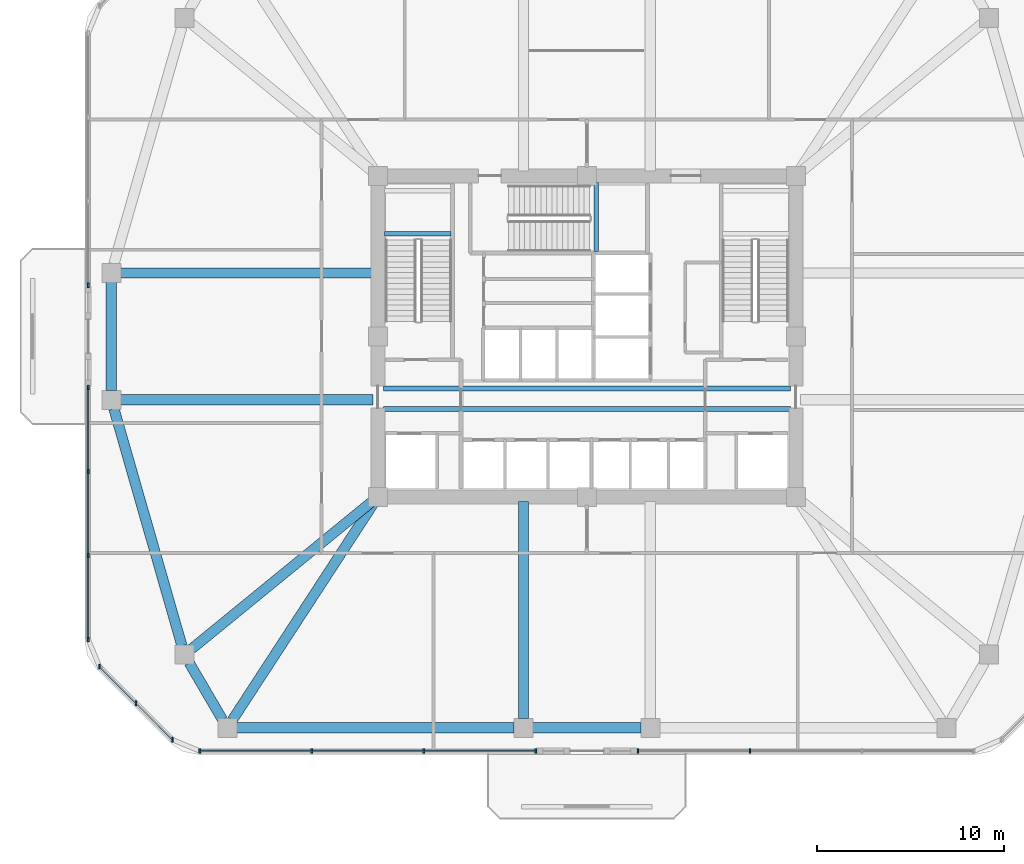
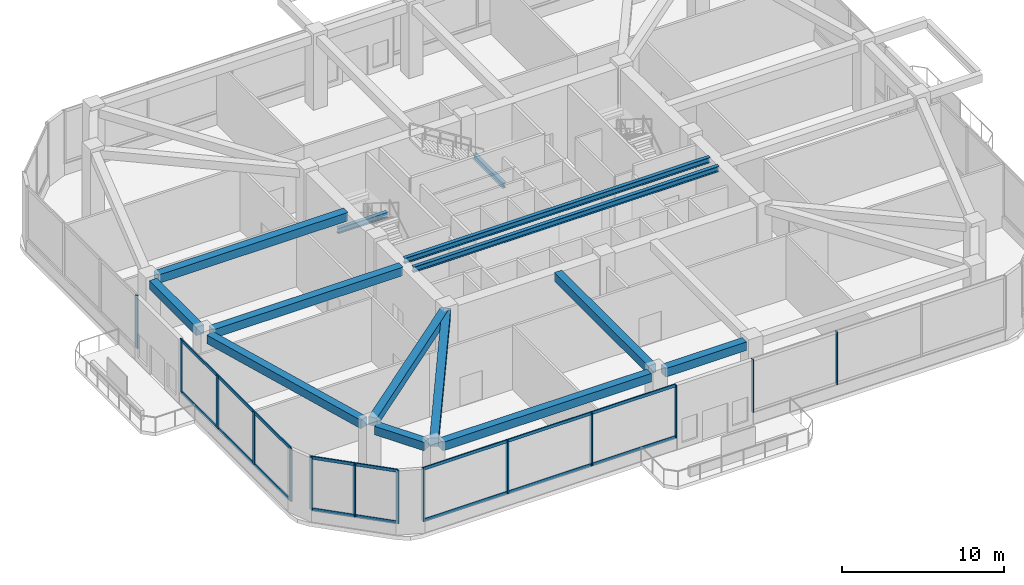
# One storey, part 2 of 13: 20 members, 14 beams, 5 elements without a shape of their own.
"""IFC4 building model written with IfcOpenShell, lengths in metres."""

from ifc_helpers import new_model, si_unit, derived_unit, direction, frame, origin, origin_2d, place, context, subcontext, project, spatial, rectangle, i_section, extrude, material, material_profile, profile_set, type_object, element, aggregate, save


model = new_model("IFC4")

# Units and contexts
model_context = context("Model", 3, precision=1e-05, world=origin(), true_north=direction((0.0, 1.0)))
body_context = subcontext(model_context, "Body", "Model", "MODEL_VIEW")
ifc_project = project(units=[si_unit("LENGTHUNIT", "METRE"), si_unit("AREAUNIT", "SQUARE_METRE"), si_unit("VOLUMEUNIT", "CUBIC_METRE"), si_unit("PLANEANGLEUNIT", "RADIAN"), si_unit("MASSUNIT", "GRAM", prefix="KILO"), derived_unit("THERMALTRANSMITTANCEUNIT", [(si_unit("POWERUNIT", "WATT"), 1), (si_unit("LENGTHUNIT", "METRE"), -2), (si_unit("THERMODYNAMICTEMPERATUREUNIT", "KELVIN"), -1)])], contexts=[model_context])

# Site, building, storey
site_placement = place(None, origin())
site = spatial("IfcSite", under=ifc_project, at=site_placement, CompositionType="ELEMENT")
building_placement = place(site_placement, origin())
building = spatial("IfcBuilding", under=site, at=building_placement, Name="Koralith Skygarden Medical Center", CompositionType="ELEMENT")
storey_placement = place(building_placement, frame((0.0, 0.0, 75.419921875)))
storey = spatial("IfcBuildingStorey", under=building, at=storey_placement, Name="L19", CompositionType="ELEMENT", Elevation=75.419921875)

# Curtain wall, members
ifc_material_1 = material(Name="Clear Laminated Glass", Category="glass")
curtain_wall_type = type_object("IfcCurtainWallType", Name="CW-7 Sky-Garden & Pool Conservatory Wall", PredefinedType="NOTDEFINED", material=ifc_material_1)
curtain_wall_1_placement = place(storey_placement, origin())
curtain_wall_1 = element("IfcCurtainWall", 1, at=curtain_wall_1_placement, inside=storey, type_object=curtain_wall_type, Name="Curtain Wall CW-L19-S-L", PredefinedType="NOTDEFINED")
ifc_material_2 = material(Name="Aluminium 6063-T6", Category="aluminium")
ifc_material_profile_1 = material_profile(ifc_material_2, rectangle(XDim=0.0859375, YDim=0.25, at=origin_2d()), Name="MUL86X250")
ifc_profile_set_1 = profile_set([ifc_material_profile_1], Name="Aluminium 6063-T6")
member_type_1 = type_object("IfcMemberType", Name="CW-7 Extruded Mullion 86x250", PredefinedType="MULLION", material=ifc_profile_set_1)
member_1_placement = place(storey_placement, frame((16.2548828125, 3.679931640625, 0.85009765625), z_axis=(0.0, 0.0, 1.0), x_axis=(1.0, 0.0, 0.0)))
member_1 = element("IfcMember", 2, at=member_1_placement, type_object=member_type_1, Name="CW-L19-S-L Mullion 1", PredefinedType="MULLION", context=body_context, shape_type="SweptSolid", body=[
    extrude(rectangle(XDim=0.0859375, YDim=0.25, at=origin_2d()), origin(), (0.0, 0.0, 1.0), 3.97998046875),
])
member_2_placement = place(storey_placement, frame((22.256103515625, 3.679931640625, 0.85009765625), z_axis=(0.0, 0.0, 1.0), x_axis=(1.0, 0.0, 0.0)))
member_2 = element("IfcMember", 3, at=member_2_placement, type_object=member_type_1, Name="CW-L19-S-L Mullion 2", PredefinedType="MULLION", context=body_context, shape_type="SweptSolid", body=[
    extrude(rectangle(XDim=0.0859375, YDim=0.25, at=origin_2d()), origin(), (0.0, 0.0, 1.0), 3.97998046875),
])
member_3_placement = place(storey_placement, frame((28.258056640625, 3.679931640625, 0.85009765625), z_axis=(0.0, 0.0, 1.0), x_axis=(1.0, 0.0, 0.0)))
member_3 = element("IfcMember", 4, at=member_3_placement, type_object=member_type_1, Name="CW-L19-S-L Mullion 3", PredefinedType="MULLION", context=body_context, shape_type="SweptSolid", body=[
    extrude(rectangle(XDim=0.0859375, YDim=0.25, at=origin_2d()), origin(), (0.0, 0.0, 1.0), 3.97998046875),
])
member_4_placement = place(storey_placement, frame((34.259033203125, 3.679931640625, 0.85009765625), z_axis=(0.0, 0.0, 1.0), x_axis=(1.0, 0.0, 0.0)))
member_4 = element("IfcMember", 5, at=member_4_placement, type_object=member_type_1, Name="CW-L19-S-L Mullion 4", PredefinedType="MULLION", context=body_context, shape_type="SweptSolid", body=[
    extrude(rectangle(XDim=0.0859375, YDim=0.25, at=origin_2d()), origin(), (0.0, 0.0, 1.0), 3.97998046875),
])

curtain_wall_2_placement = place(storey_placement, origin())
curtain_wall_2 = element("IfcCurtainWall", 6, at=curtain_wall_2_placement, inside=storey, type_object=curtain_wall_type, Name="Curtain Wall CW-L19-S-R", PredefinedType="NOTDEFINED")
member_5_placement = place(storey_placement, frame((39.739013671875, 3.679931640625, 0.85009765625), z_axis=(0.0, 0.0, 1.0), x_axis=(1.0, 0.0, 0.0)))
member_5 = element("IfcMember", 7, at=member_5_placement, type_object=member_type_1, Name="CW-L19-S-R Mullion 1", PredefinedType="MULLION", context=body_context, shape_type="SweptSolid", body=[
    extrude(rectangle(XDim=0.0859375, YDim=0.25, at=origin_2d()), origin(), (0.0, 0.0, 1.0), 3.97998046875),
])
member_6_placement = place(storey_placement, frame((45.740966796875, 3.679931640625, 0.85009765625), z_axis=(0.0, 0.0, 1.0), x_axis=(1.0, 0.0, 0.0)))
member_6 = element("IfcMember", 8, at=member_6_placement, type_object=member_type_1, Name="CW-L19-S-R Mullion 2", PredefinedType="MULLION", context=body_context, shape_type="SweptSolid", body=[
    extrude(rectangle(XDim=0.0859375, YDim=0.25, at=origin_2d()), origin(), (0.0, 0.0, 1.0), 3.97998046875),
])
aggregate(curtain_wall_2, [member_5, member_6])

# Curtain wall, member
curtain_wall_3_placement = place(storey_placement, origin())
curtain_wall_3 = element("IfcCurtainWall", 9, at=curtain_wall_3_placement, inside=storey, type_object=curtain_wall_type, Name="Curtain Wall CW-L19-W-L", PredefinedType="NOTDEFINED")
member_7_placement = place(storey_placement, frame((10.280029296875, 28.64111328125, 0.85009765625), z_axis=(0.0, 0.0, 1.0), x_axis=(1.0, 0.0, 0.0)))
member_7 = element("IfcMember", 10, at=member_7_placement, type_object=member_type_1, Name="CW-L19-W-L Mullion 4", PredefinedType="MULLION", context=body_context, shape_type="SweptSolid", body=[
    extrude(rectangle(XDim=0.0859375, YDim=0.25, at=origin_2d()), origin(), (0.0, 0.0, 1.0), 3.97998046875),
])
aggregate(curtain_wall_3, [member_7])

# Curtain wall, members
curtain_wall_4_placement = place(storey_placement, origin())
curtain_wall_4 = element("IfcCurtainWall", 11, at=curtain_wall_4_placement, inside=storey, type_object=curtain_wall_type, Name="Curtain Wall CW-L19-W-R", PredefinedType="NOTDEFINED")
member_8_placement = place(storey_placement, frame((10.280029296875, 23.160888671875, 0.85009765625), z_axis=(0.0, 0.0, 1.0), x_axis=(1.0, 0.0, 0.0)))
member_8 = element("IfcMember", 12, at=member_8_placement, type_object=member_type_1, Name="CW-L19-W-R Mullion 1", PredefinedType="MULLION", context=body_context, shape_type="SweptSolid", body=[
    extrude(rectangle(XDim=0.0859375, YDim=0.25, at=origin_2d()), origin(), (0.0, 0.0, 1.0), 3.97998046875),
])
member_9_placement = place(storey_placement, frame((10.280029296875, 18.658935546875, 0.85009765625), z_axis=(0.0, 0.0, 1.0), x_axis=(1.0, 0.0, 0.0)))
member_9 = element("IfcMember", 13, at=member_9_placement, type_object=member_type_1, Name="CW-L19-W-R Mullion 2", PredefinedType="MULLION", context=body_context, shape_type="SweptSolid", body=[
    extrude(rectangle(XDim=0.0859375, YDim=0.25, at=origin_2d()), origin(), (0.0, 0.0, 1.0), 3.97998046875),
])
member_10_placement = place(storey_placement, frame((10.280029296875, 14.156982421875, 0.85009765625), z_axis=(0.0, 0.0, 1.0), x_axis=(1.0, 0.0, 0.0)))
member_10 = element("IfcMember", 14, at=member_10_placement, type_object=member_type_1, Name="CW-L19-W-R Mullion 3", PredefinedType="MULLION", context=body_context, shape_type="SweptSolid", body=[
    extrude(rectangle(XDim=0.0859375, YDim=0.25, at=origin_2d()), origin(), (0.0, 0.0, 1.0), 3.97998046875),
])
member_11_placement = place(storey_placement, frame((10.280029296875, 9.655029296875, 0.85009765625), z_axis=(0.0, 0.0, 1.0), x_axis=(1.0, 0.0, 0.0)))
member_11 = element("IfcMember", 15, at=member_11_placement, type_object=member_type_1, Name="CW-L19-W-R Mullion 4", PredefinedType="MULLION", context=body_context, shape_type="SweptSolid", body=[
    extrude(rectangle(XDim=0.0859375, YDim=0.25, at=origin_2d()), origin(), (0.0, 0.0, 1.0), 3.97998046875),
])

curtain_wall_5_placement = place(storey_placement, origin())
curtain_wall_5 = element("IfcCurtainWall", 16, at=curtain_wall_5_placement, inside=storey, type_object=curtain_wall_type, Name="Curtain Wall CW-L19-SW", PredefinedType="NOTDEFINED")
member_12_placement = place(storey_placement, frame((10.881103515625, 8.2041015625, 0.85009765625), z_axis=(0.0, 0.0, 1.0), x_axis=(1.0, 0.0, 0.0)))
member_12 = element("IfcMember", 17, at=member_12_placement, type_object=member_type_1, Name="CW-L19-SW Mullion 1", PredefinedType="MULLION", context=body_context, shape_type="SweptSolid", body=[
    extrude(rectangle(XDim=0.0859375, YDim=0.25, at=origin_2d()), origin(), (0.0, 0.0, 1.0), 3.97998046875),
])
member_13_placement = place(storey_placement, frame((12.843017578125, 6.241943359375, 0.85009765625), z_axis=(0.0, 0.0, 1.0), x_axis=(1.0, 0.0, 0.0)))
member_13 = element("IfcMember", 18, at=member_13_placement, type_object=member_type_1, Name="CW-L19-SW Mullion 2", PredefinedType="MULLION", context=body_context, shape_type="SweptSolid", body=[
    extrude(rectangle(XDim=0.0859375, YDim=0.25, at=origin_2d()), origin(), (0.0, 0.0, 1.0), 3.97998046875),
])
member_14_placement = place(storey_placement, frame((14.803955078125, 4.281005859375, 0.85009765625), z_axis=(0.0, 0.0, 1.0), x_axis=(1.0, 0.0, 0.0)))
member_14 = element("IfcMember", 19, at=member_14_placement, type_object=member_type_1, Name="CW-L19-SW Mullion 3", PredefinedType="MULLION", context=body_context, shape_type="SweptSolid", body=[
    extrude(rectangle(XDim=0.0859375, YDim=0.25, at=origin_2d()), origin(), (0.0, 0.0, 1.0), 3.97998046875),
])

# Member
ifc_material_profile_2 = material_profile(ifc_material_2, rectangle(XDim=0.0810546875, YDim=0.22509765625, at=origin_2d()), Name="TRN81X225")
ifc_profile_set_2 = profile_set([ifc_material_profile_2], Name="Aluminium 6063-T6")
member_type_2 = type_object("IfcMemberType", Name="CW-7 Thermal Transom 81x225", PredefinedType="USERDEFINED", material=ifc_profile_set_2)
member_15_placement = place(storey_placement, frame((16.2548828125, 3.679931640625, 0.900146484375), z_axis=(1.0, 0.0, 0.0), x_axis=(0.0, 1.0, 0.0)))
member_15 = element("IfcMember", 20, at=member_15_placement, type_object=member_type_2, Name="CW-L19-S-L Transom 1", ObjectType="TRANSOM", PredefinedType="USERDEFINED", context=body_context, shape_type="SweptSolid", body=[
    extrude(rectangle(XDim=0.0810546875, YDim=0.22509765625, at=origin_2d()), origin(), (0.0, 0.0, 1.0), 18.004150390625),
])

member_16_placement = place(storey_placement, frame((16.2548828125, 3.679931640625, 4.780029296875), z_axis=(1.0, 0.0, 0.0), x_axis=(0.0, 1.0, 0.0)))
member_16 = element("IfcMember", 21, at=member_16_placement, type_object=member_type_2, Name="CW-L19-S-L Transom 2", ObjectType="TRANSOM", PredefinedType="USERDEFINED", context=body_context, shape_type="SweptSolid", body=[
    extrude(rectangle(XDim=0.0810546875, YDim=0.22509765625, at=origin_2d()), origin(), (0.0, 0.0, 1.0), 18.004150390625),
])

aggregate(curtain_wall_1, [member_1, member_2, member_3, member_4, member_15, member_16])

member_17_placement = place(storey_placement, frame((10.280029296875, 23.160888671875, 0.900146484375), z_axis=(0.0, -1.0, 0.0), x_axis=(1.0, 0.0, 0.0)))
member_17 = element("IfcMember", 22, at=member_17_placement, type_object=member_type_2, Name="CW-L19-W-R Transom 1", ObjectType="TRANSOM", PredefinedType="USERDEFINED", context=body_context, shape_type="SweptSolid", body=[
    extrude(rectangle(XDim=0.0810546875, YDim=0.22509765625, at=origin_2d()), origin(), (0.0, 0.0, 1.0), 13.505859375),
])

member_18_placement = place(storey_placement, frame((10.280029296875, 23.160888671875, 4.780029296875), z_axis=(0.0, -1.0, 0.0), x_axis=(1.0, 0.0, 0.0)))
member_18 = element("IfcMember", 23, at=member_18_placement, type_object=member_type_2, Name="CW-L19-W-R Transom 2", ObjectType="TRANSOM", PredefinedType="USERDEFINED", context=body_context, shape_type="SweptSolid", body=[
    extrude(rectangle(XDim=0.0810546875, YDim=0.22509765625, at=origin_2d()), origin(), (0.0, 0.0, 1.0), 13.505859375),
])

aggregate(curtain_wall_4, [member_8, member_9, member_10, member_11, member_17, member_18])

member_19_placement = place(storey_placement, frame((10.881103515625, 8.2041015625, 0.900146484375), z_axis=(0.707084777957, -0.707128783731, 0.0), x_axis=(0.707128783731, 0.707084777957, 0.0)))
member_19 = element("IfcMember", 24, at=member_19_placement, type_object=member_type_2, Name="CW-L19-SW Transom 1", ObjectType="TRANSOM", PredefinedType="USERDEFINED", context=body_context, shape_type="SweptSolid", body=[
    extrude(rectangle(XDim=0.0810546875, YDim=0.22509765625, at=origin_2d()), origin(), (0.0, 0.0, 1.0), 5.5478515625),
])

member_20_placement = place(storey_placement, frame((10.881103515625, 8.2041015625, 4.780029296875), z_axis=(0.707084777957, -0.707128783731, 0.0), x_axis=(0.707128783731, 0.707084777957, 0.0)))
member_20 = element("IfcMember", 25, at=member_20_placement, type_object=member_type_2, Name="CW-L19-SW Transom 2", ObjectType="TRANSOM", PredefinedType="USERDEFINED", context=body_context, shape_type="SweptSolid", body=[
    extrude(rectangle(XDim=0.0810546875, YDim=0.22509765625, at=origin_2d()), origin(), (0.0, 0.0, 1.0), 5.5478515625),
])

aggregate(curtain_wall_5, [member_12, member_13, member_14, member_19, member_20])

# Beams
ifc_material_3 = material(Name="Steel ASTM A992 Grade 50", Category="steel")
ifc_material_profile_3 = material_profile(ifc_material_3, i_section(OverallWidth=0.260009765625, OverallDepth=0.4150390625, WebThickness=0.010009765625, FlangeThickness=0.016845703125, at=origin_2d()), Name="W16X67")
ifc_profile_set_3 = profile_set([ifc_material_profile_3], Name="Steel ASTM A992 Grade 50")
beam_type_1 = type_object("IfcBeamType", Name="Clinical Floor Joist W16X67", PredefinedType="JOIST", material=ifc_profile_set_3)
for number, where, z_axis, x_axis, name in (
    (26, (26.10009765625, 22.0, 5.273193359375), (1.0, 0.0, 0.0), (0.0, 1.0, 0.0), "L19 Core Lobby Floor Joist 1"),
    (27, (26.10009765625, 23.10009765625, 5.273193359375), (1.0, 0.0, 0.0), (0.0, 1.0, 0.0), "L19 Core Lobby Floor Joist 2"),
):
    element("IfcBeam", number, at=place(storey_placement, frame(where, z_axis=z_axis, x_axis=x_axis)), inside=storey, type_object=beam_type_1, Name=name, PredefinedType="JOIST", context=body_context, shape_type="SweptSolid", body=[
        extrude(i_section(OverallWidth=0.260009765625, OverallDepth=0.4150390625, WebThickness=0.010009765625, FlangeThickness=0.016845703125, at=origin_2d()), origin(), (0.0, 0.0, 1.0), 21.7998046875),
    ])
beam_1_placement = place(storey_placement, frame((26.155029296875, 31.39990234375, 2.47216796875), z_axis=(1.0, 0.0, 0.0), x_axis=(0.0, 1.0, 0.0)))
element("IfcBeam", 28, at=beam_1_placement, inside=storey, type_object=beam_type_1, Name="L19 Stair ST1 Half-Landing Support Beam 1A", PredefinedType="JOIST", context=body_context, shape_type="SweptSolid", body=[
    extrude(i_section(OverallWidth=0.260009765625, OverallDepth=0.4150390625, WebThickness=0.010009765625, FlangeThickness=0.016845703125, at=origin_2d()), origin(), (0.0, 0.0, 1.0), 3.56494140625),
])
beam_2_placement = place(storey_placement, frame((37.5, 30.43994140625, 2.47216796875), z_axis=(0.0, 1.0, 0.0), x_axis=(-1.0, 0.0, 0.0)))
element("IfcBeam", 29, at=beam_2_placement, inside=storey, type_object=beam_type_1, Name="L19 Stair ST3 Half-Landing Support Beam 1A", PredefinedType="JOIST", context=body_context, shape_type="SweptSolid", body=[
    extrude(i_section(OverallWidth=0.260009765625, OverallDepth=0.4150390625, WebThickness=0.010009765625, FlangeThickness=0.016845703125, at=origin_2d()), origin(), (0.0, 0.0, 1.0), 3.705078125),
])
ifc_material_4 = material(Name="Concrete C45/55", Category="concrete")
ifc_material_profile_4 = material_profile(ifc_material_4, rectangle(XDim=0.550048828125, YDim=0.639892578125, at=origin_2d()), Name="RCB550X640")
ifc_profile_set_4 = profile_set([ifc_material_profile_4], Name="Concrete C45/55")
beam_type_2 = type_object("IfcBeamType", Name="Radial Collector Beam RCB550X640", PredefinedType="BEAM", material=ifc_profile_set_4)
beam_3_placement = place(storey_placement, frame((25.550048828125, 22.5, 5.16015625), z_axis=(-1.0, 0.0, 0.0), x_axis=(0.0, -1.0, 0.0)))
element("IfcBeam", 30, at=beam_3_placement, inside=storey, type_object=beam_type_2, Name="L19 Radial Collector Beam RB-01", PredefinedType="BEAM", context=body_context, shape_type="SweptSolid", body=[
    extrude(rectangle(XDim=0.550048828125, YDim=0.639892578125, at=origin_2d()), origin(), (0.0, 0.0, 1.0), 13.530029296875),
])
beam_4_placement = place(storey_placement, frame((25.60595703125, 17.14208984375, 5.16015625), z_axis=(-0.774537653753, -0.632527804067, 0.0), x_axis=(0.632527804067, -0.774537653753, 0.0)))
element("IfcBeam", 31, at=beam_4_placement, inside=storey, type_object=beam_type_2, Name="L19 Radial Collector Beam RB-02", PredefinedType="BEAM", context=body_context, shape_type="SweptSolid", body=[
    extrude(rectangle(XDim=0.550048828125, YDim=0.639892578125, at=origin_2d()), origin(), (0.0, 0.0, 1.0), 12.625732421875),
])
beam_5_placement = place(storey_placement, frame((25.6640625, 17.091064453125, 5.16015625), z_axis=(-0.546010797592, -0.83777813824, 0.0), x_axis=(0.83777813824, -0.546010797592, 0.0)))
element("IfcBeam", 32, at=beam_5_placement, inside=storey, type_object=beam_type_2, Name="L19 Radial Collector Beam RB-03", PredefinedType="BEAM", context=body_context, shape_type="SweptSolid", body=[
    extrude(rectangle(XDim=0.550048828125, YDim=0.639892578125, at=origin_2d()), origin(), (0.0, 0.0, 1.0), 14.027587890625),
])
beam_6_placement = place(storey_placement, frame((33.60009765625, 17.050048828125, 5.16015625), z_axis=(0.0, -1.0, 0.0), x_axis=(1.0, 0.0, 0.0)))
element("IfcBeam", 33, at=beam_6_placement, inside=storey, type_object=beam_type_2, Name="L19 Radial Collector Beam RB-04", PredefinedType="BEAM", context=body_context, shape_type="SweptSolid", body=[
    extrude(rectangle(XDim=0.550048828125, YDim=0.639892578125, at=origin_2d()), origin(), (0.0, 0.0, 1.0), 11.630126953125),
])
beam_7_placement = place(storey_placement, frame((25.550048828125, 29.300048828125, 5.16015625), z_axis=(-1.0, 0.0, 0.0), x_axis=(0.0, -1.0, 0.0)))
element("IfcBeam", 34, at=beam_7_placement, inside=storey, type_object=beam_type_2, Name="L19 Radial Collector Beam RB-16", PredefinedType="BEAM", context=body_context, shape_type="SweptSolid", body=[
    extrude(rectangle(XDim=0.550048828125, YDim=0.639892578125, at=origin_2d()), origin(), (0.0, 0.0, 1.0), 13.530029296875),
])
ifc_material_profile_5 = material_profile(ifc_material_4, rectangle(XDim=0.550048828125, YDim=0.639892578125, at=origin_2d()), Name="RCB550X640")
ifc_profile_set_5 = profile_set([ifc_material_profile_5], Name="Concrete C45/55")
beam_type_3 = type_object("IfcBeamType", Name="Zone 2-3 Spandrel Beam RCB550X640", PredefinedType="SPANDREL", material=ifc_profile_set_5)
beam_8_placement = place(storey_placement, frame((11.657958984375, 22.01904296875, 5.16015625), z_axis=(0.275843733572, -0.961202494092, 0.0), x_axis=(0.961202494092, 0.275843733572, 0.0)))
element("IfcBeam", 35, at=beam_8_placement, inside=storey, type_object=beam_type_3, Name="L19 Perimeter Spandrel Beam SP-01", PredefinedType="SPANDREL", context=body_context, shape_type="SweptSolid", body=[
    extrude(rectangle(XDim=0.550048828125, YDim=0.639892578125, at=origin_2d()), origin(), (0.0, 0.0, 1.0), 13.21044921875),
])
beam_9_placement = place(storey_placement, frame((15.69189453125, 8.407958984375, 5.16015625), z_axis=(0.50502386975, -0.863105376523, 0.0), x_axis=(0.863105376523, 0.50502386975, 0.0)))
element("IfcBeam", 36, at=beam_9_placement, inside=storey, type_object=beam_type_3, Name="L19 Perimeter Spandrel Beam SP-02", PredefinedType="SPANDREL", context=body_context, shape_type="SweptSolid", body=[
    extrude(rectangle(XDim=0.550048828125, YDim=0.639892578125, at=origin_2d()), origin(), (0.0, 0.0, 1.0), 3.54052734375),
])
beam_10_placement = place(storey_placement, frame((18.23193359375, 4.919921875, 5.16015625), z_axis=(1.0, 0.0, 0.0), x_axis=(0.0, 1.0, 0.0)))
element("IfcBeam", 37, at=beam_10_placement, inside=storey, type_object=beam_type_3, Name="L19 Perimeter Spandrel Beam SP-03", PredefinedType="SPANDREL", context=body_context, shape_type="SweptSolid", body=[
    extrude(rectangle(XDim=0.550048828125, YDim=0.639892578125, at=origin_2d()), origin(), (0.0, 0.0, 1.0), 14.8681640625),
])
beam_11_placement = place(storey_placement, frame((34.10009765625, 4.919921875, 5.16015625), z_axis=(1.0, 0.0, 0.0), x_axis=(0.0, 1.0, 0.0)))
element("IfcBeam", 38, at=beam_11_placement, inside=storey, type_object=beam_type_3, Name="L19 Perimeter Spandrel Beam SP-04", PredefinedType="SPANDREL", context=body_context, shape_type="SweptSolid", body=[
    extrude(rectangle(XDim=0.550048828125, YDim=0.639892578125, at=origin_2d()), origin(), (0.0, 0.0, 1.0), 5.7998046875),
])
beam_12_placement = place(storey_placement, frame((11.52001953125, 28.800048828125, 5.16015625), z_axis=(0.0, -1.0, 0.0), x_axis=(1.0, 0.0, 0.0)))
element("IfcBeam", 39, at=beam_12_placement, inside=storey, type_object=beam_type_3, Name="L19 Perimeter Spandrel Beam SP-16", PredefinedType="SPANDREL", context=body_context, shape_type="SweptSolid", body=[
    extrude(rectangle(XDim=0.550048828125, YDim=0.639892578125, at=origin_2d()), origin(), (0.0, 0.0, 1.0), 5.800048828125),
])

save(model, "model.ifc")
